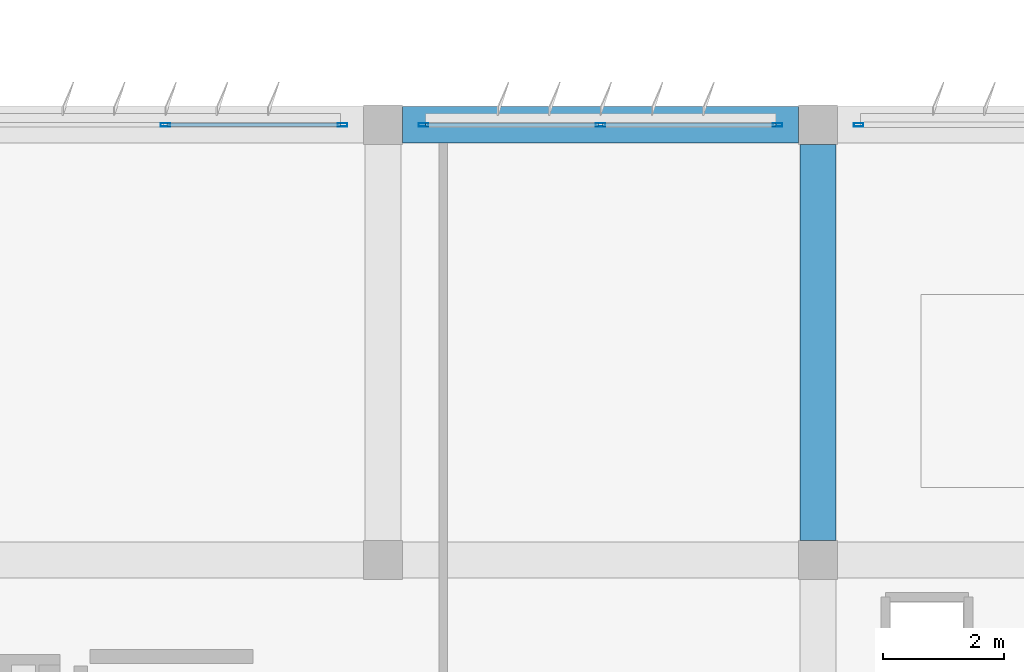
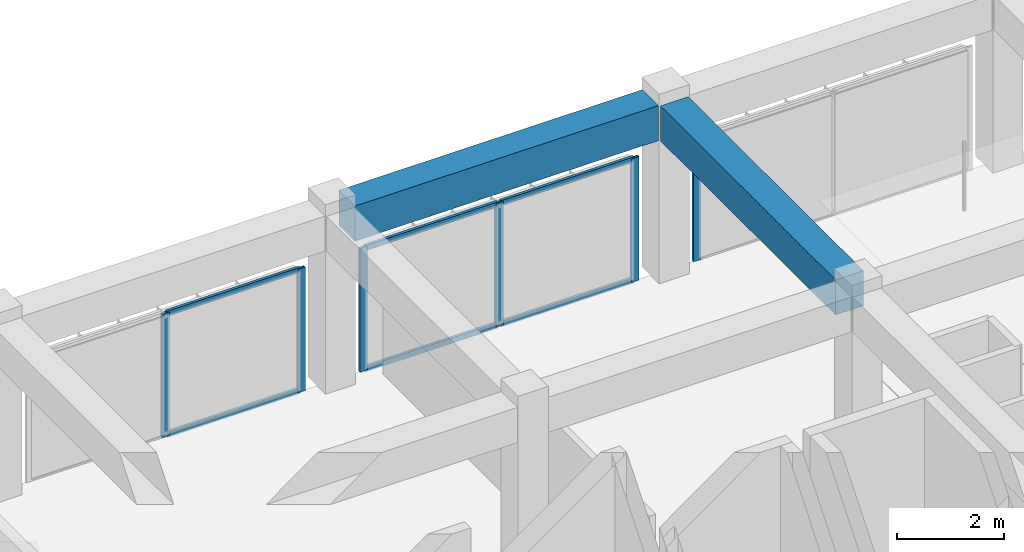
# One storey, part 15 of 53: 12 members, 2 beams, 3 elements without a shape of their own.
"""IFC4 building model written with IfcOpenShell, lengths in metres."""

from ifc_helpers import new_model, si_unit, direction, frame, origin, origin_2d, place, context, subcontext, project, spatial, rectangle, hollow_rectangle, extrude, material, material_profile, profile_set, type_object, element, aggregate, save


model = new_model("IFC4")

# Units and contexts
model_context = context("Model", 3, precision=1e-05, world=origin(), true_north=direction((0.0, 1.0)))
body_context = subcontext(model_context, "Body", "Model", "MODEL_VIEW")
ifc_project = project(units=[si_unit("LENGTHUNIT", "METRE"), si_unit("AREAUNIT", "SQUARE_METRE"), si_unit("VOLUMEUNIT", "CUBIC_METRE"), si_unit("PLANEANGLEUNIT", "RADIAN"), si_unit("MASSUNIT", "GRAM", prefix="KILO")], contexts=[model_context])

# Site, building, storey
site_placement = place(None, origin())
site = spatial("IfcSite", under=ifc_project, at=site_placement, CompositionType="ELEMENT")
building_placement = place(site_placement, origin())
building = spatial("IfcBuilding", under=site, at=building_placement, Name="Kazehaya Institute of Natural Sciences", CompositionType="ELEMENT")
storey_placement = place(building_placement, frame((0.0, 0.0, 33.300048828125)))
storey = spatial("IfcBuildingStorey", under=building, at=storey_placement, Name="L07", CompositionType="ELEMENT", Elevation=33.300048828125)

# Beams
ifc_material_1 = material(Name="Concrete Fc36", Category="concrete")
ifc_material_profile_1 = material_profile(ifc_material_1, rectangle(XDim=0.60009765625, YDim=0.800048828125, at=origin_2d()), Name="RC-600x800")
ifc_profile_set_1 = profile_set([ifc_material_profile_1], Name="Concrete Fc36")
beam_type = type_object("IfcBeamType", Name="BM-G-600x800", PredefinedType="BEAM", material=ifc_profile_set_1)
beam_1_placement = place(storey_placement, frame((76.52490234375, 35.60009765625, 3.64990234375), z_axis=(1.0, 0.0, 0.0), x_axis=(0.0, 1.0, 0.0)))
element("IfcBeam", 1, at=beam_1_placement, inside=storey, type_object=beam_type, Name="L07 primary X girder BMX-L07-762-356", PredefinedType="BEAM", context=body_context, shape_type="SweptSolid", body=[
    extrude(rectangle(XDim=0.60009765625, YDim=0.800048828125, at=origin_2d()), origin(), (0.0, 0.0, 1.0), 6.550048828125),
])
beam_2_placement = place(storey_placement, frame((83.39990234375, 28.72509765625, 3.64990234375), z_axis=(0.0, 1.0, 0.0), x_axis=(-1.0, 0.0, 0.0)))
element("IfcBeam", 2, at=beam_2_placement, inside=storey, type_object=beam_type, Name="L07 primary Y girder BMY-L07-834-284", PredefinedType="BEAM", context=body_context, shape_type="SweptSolid", body=[
    extrude(rectangle(XDim=0.60009765625, YDim=0.800048828125, at=origin_2d()), origin(), (0.0, 0.0, 1.0), 6.5498046875),
])

# Curtain wall, members
ifc_material_2 = material(Name="Aluminium alloy A6063S-T5", Category="aluminium")
curtain_wall_type = type_object("IfcCurtainWallType", Name="CW-SYS-05", PredefinedType="NOTDEFINED", material=ifc_material_2)
curtain_wall_1_placement = place(storey_placement, origin())
curtain_wall_1 = element("IfcCurtainWall", 3, at=curtain_wall_1_placement, inside=storey, type_object=curtain_wall_type, Name="L07 unitised curtain wall CW-L07-159", PredefinedType="NOTDEFINED")
ifc_material_profile_2 = material_profile(ifc_material_2, hollow_rectangle(XDim=0.06005859375, YDim=0.159912109375, WallThickness=0.00390625, at=origin_2d()), Name="ALU-60x160x4")
ifc_profile_set_2 = profile_set([ifc_material_profile_2], Name="Aluminium alloy A6063S-T5")
member_type_1 = type_object("IfcMemberType", Name="CWM-160", PredefinedType="MULLION", material=ifc_profile_set_2)
member_1_placement = place(storey_placement, frame((72.60009765625, 35.60009765625, 0.0), z_axis=(0.0, 0.0, 1.0), x_axis=(0.0, 1.0, 0.0)))
member_1 = element("IfcMember", 4, at=member_1_placement, type_object=member_type_1, Name="CW05 mullion 2", PredefinedType="MULLION", context=body_context, shape_type="SweptSolid", body=[
    extrude(hollow_rectangle(XDim=0.06005859375, YDim=0.159912109375, WallThickness=0.00390625, at=origin_2d()), origin(), (0.0, 0.0, 1.0), 2.820068359375),
])
member_2_placement = place(storey_placement, frame((75.530029296875, 35.60009765625, 0.0), z_axis=(0.0, 0.0, 1.0), x_axis=(0.0, 1.0, 0.0)))
member_2 = element("IfcMember", 5, at=member_2_placement, type_object=member_type_1, Name="CW05 mullion 3", PredefinedType="MULLION", context=body_context, shape_type="SweptSolid", body=[
    extrude(hollow_rectangle(XDim=0.06005859375, YDim=0.159912109375, WallThickness=0.00390625, at=origin_2d()), origin(), (0.0, 0.0, 1.0), 2.820068359375),
])

curtain_wall_2_placement = place(storey_placement, origin())
curtain_wall_2 = element("IfcCurtainWall", 6, at=curtain_wall_2_placement, inside=storey, type_object=curtain_wall_type, Name="L07 unitised curtain wall CW-L07-160", PredefinedType="NOTDEFINED")
member_3_placement = place(storey_placement, frame((76.8701171875, 35.60009765625, 0.0), z_axis=(0.0, 0.0, 1.0), x_axis=(0.0, 1.0, 0.0)))
member_3 = element("IfcMember", 7, at=member_3_placement, type_object=member_type_1, Name="CW05 mullion 1", PredefinedType="MULLION", context=body_context, shape_type="SweptSolid", body=[
    extrude(hollow_rectangle(XDim=0.06005859375, YDim=0.159912109375, WallThickness=0.00390625, at=origin_2d()), origin(), (0.0, 0.0, 1.0), 2.820068359375),
])
member_4_placement = place(storey_placement, frame((79.800048828125, 35.60009765625, 0.0), z_axis=(0.0, 0.0, 1.0), x_axis=(0.0, 1.0, 0.0)))
member_4 = element("IfcMember", 8, at=member_4_placement, type_object=member_type_1, Name="CW05 mullion 2", PredefinedType="MULLION", context=body_context, shape_type="SweptSolid", body=[
    extrude(hollow_rectangle(XDim=0.06005859375, YDim=0.159912109375, WallThickness=0.00390625, at=origin_2d()), origin(), (0.0, 0.0, 1.0), 2.820068359375),
])
member_5_placement = place(storey_placement, frame((82.72998046875, 35.60009765625, 0.0), z_axis=(0.0, 0.0, 1.0), x_axis=(0.0, 1.0, 0.0)))
member_5 = element("IfcMember", 9, at=member_5_placement, type_object=member_type_1, Name="CW05 mullion 3", PredefinedType="MULLION", context=body_context, shape_type="SweptSolid", body=[
    extrude(hollow_rectangle(XDim=0.06005859375, YDim=0.159912109375, WallThickness=0.00390625, at=origin_2d()), origin(), (0.0, 0.0, 1.0), 2.820068359375),
])

# Curtain wall, member
curtain_wall_3_placement = place(storey_placement, origin())
curtain_wall_3 = element("IfcCurtainWall", 10, at=curtain_wall_3_placement, inside=storey, type_object=curtain_wall_type, Name="L07 unitised curtain wall CW-L07-161", PredefinedType="NOTDEFINED")
member_6_placement = place(storey_placement, frame((84.070068359375, 35.60009765625, 0.0), z_axis=(0.0, 0.0, 1.0), x_axis=(0.0, 1.0, 0.0)))
member_6 = element("IfcMember", 11, at=member_6_placement, type_object=member_type_1, Name="CW05 mullion 1", PredefinedType="MULLION", context=body_context, shape_type="SweptSolid", body=[
    extrude(hollow_rectangle(XDim=0.06005859375, YDim=0.159912109375, WallThickness=0.00390625, at=origin_2d()), origin(), (0.0, 0.0, 1.0), 2.820068359375),
])
aggregate(curtain_wall_3, [member_6])

# Member
ifc_material_profile_3 = material_profile(ifc_material_2, hollow_rectangle(XDim=0.06005859375, YDim=0.1201171875, WallThickness=0.00341796875, at=origin_2d()), Name="ALU-60x120x3.5")
ifc_profile_set_3 = profile_set([ifc_material_profile_3], Name="Aluminium alloy A6063S-T5")
member_type_2 = type_object("IfcMemberType", Name="CWT-120", PredefinedType="USERDEFINED", material=ifc_profile_set_3)
member_7_placement = place(storey_placement, frame((72.6298828125, 35.60009765625, 0.030029296875), z_axis=(1.0, 0.0, 0.0), x_axis=(0.0, 1.0, 0.0)))
member_7 = element("IfcMember", 12, at=member_7_placement, type_object=member_type_2, Name="CW05 transom 2.1", ObjectType="TRANSOM", PredefinedType="USERDEFINED", context=body_context, shape_type="SweptSolid", body=[
    extrude(hollow_rectangle(XDim=0.06005859375, YDim=0.1201171875, WallThickness=0.00341796875, at=origin_2d()), origin(), (0.0, 0.0, 1.0), 2.8701171875),
])

member_8_placement = place(storey_placement, frame((72.6298828125, 35.60009765625, 2.7900390625), z_axis=(1.0, 0.0, 0.0), x_axis=(0.0, 1.0, 0.0)))
member_8 = element("IfcMember", 13, at=member_8_placement, type_object=member_type_2, Name="CW05 transom 2.2", ObjectType="TRANSOM", PredefinedType="USERDEFINED", context=body_context, shape_type="SweptSolid", body=[
    extrude(hollow_rectangle(XDim=0.06005859375, YDim=0.1201171875, WallThickness=0.00341796875, at=origin_2d()), origin(), (0.0, 0.0, 1.0), 2.8701171875),
])

aggregate(curtain_wall_1, [member_1, member_2, member_7, member_8])

member_9_placement = place(storey_placement, frame((76.89990234375, 35.60009765625, 0.030029296875), z_axis=(1.0, 0.0, 0.0), x_axis=(0.0, 1.0, 0.0)))
member_9 = element("IfcMember", 14, at=member_9_placement, type_object=member_type_2, Name="CW05 transom 1.1", ObjectType="TRANSOM", PredefinedType="USERDEFINED", context=body_context, shape_type="SweptSolid", body=[
    extrude(hollow_rectangle(XDim=0.06005859375, YDim=0.1201171875, WallThickness=0.00341796875, at=origin_2d()), origin(), (0.0, 0.0, 1.0), 2.8701171875),
])

member_10_placement = place(storey_placement, frame((76.89990234375, 35.60009765625, 2.7900390625), z_axis=(1.0, 0.0, 0.0), x_axis=(0.0, 1.0, 0.0)))
member_10 = element("IfcMember", 15, at=member_10_placement, type_object=member_type_2, Name="CW05 transom 1.2", ObjectType="TRANSOM", PredefinedType="USERDEFINED", context=body_context, shape_type="SweptSolid", body=[
    extrude(hollow_rectangle(XDim=0.06005859375, YDim=0.1201171875, WallThickness=0.00341796875, at=origin_2d()), origin(), (0.0, 0.0, 1.0), 2.8701171875),
])

member_11_placement = place(storey_placement, frame((79.830078125, 35.60009765625, 0.030029296875), z_axis=(1.0, 0.0, 0.0), x_axis=(0.0, 1.0, 0.0)))
member_11 = element("IfcMember", 16, at=member_11_placement, type_object=member_type_2, Name="CW05 transom 2.1", ObjectType="TRANSOM", PredefinedType="USERDEFINED", context=body_context, shape_type="SweptSolid", body=[
    extrude(hollow_rectangle(XDim=0.06005859375, YDim=0.1201171875, WallThickness=0.00341796875, at=origin_2d()), origin(), (0.0, 0.0, 1.0), 2.869873046875),
])

member_12_placement = place(storey_placement, frame((79.830078125, 35.60009765625, 2.7900390625), z_axis=(1.0, 0.0, 0.0), x_axis=(0.0, 1.0, 0.0)))
member_12 = element("IfcMember", 17, at=member_12_placement, type_object=member_type_2, Name="CW05 transom 2.2", ObjectType="TRANSOM", PredefinedType="USERDEFINED", context=body_context, shape_type="SweptSolid", body=[
    extrude(hollow_rectangle(XDim=0.06005859375, YDim=0.1201171875, WallThickness=0.00341796875, at=origin_2d()), origin(), (0.0, 0.0, 1.0), 2.869873046875),
])

aggregate(curtain_wall_2, [member_3, member_4, member_5, member_9, member_10, member_11, member_12])

save(model, "model.ifc")
